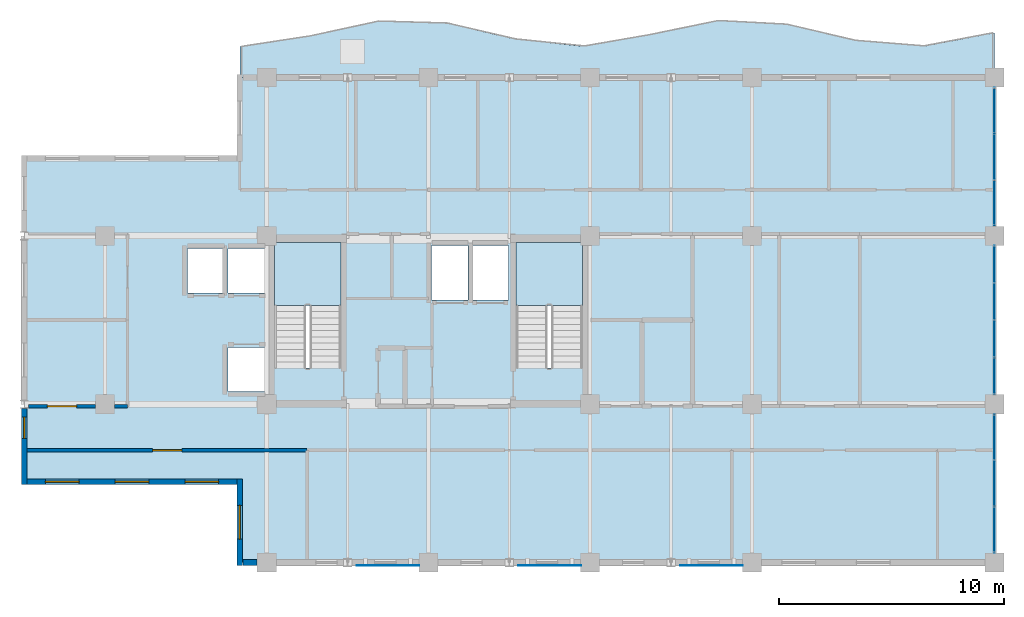
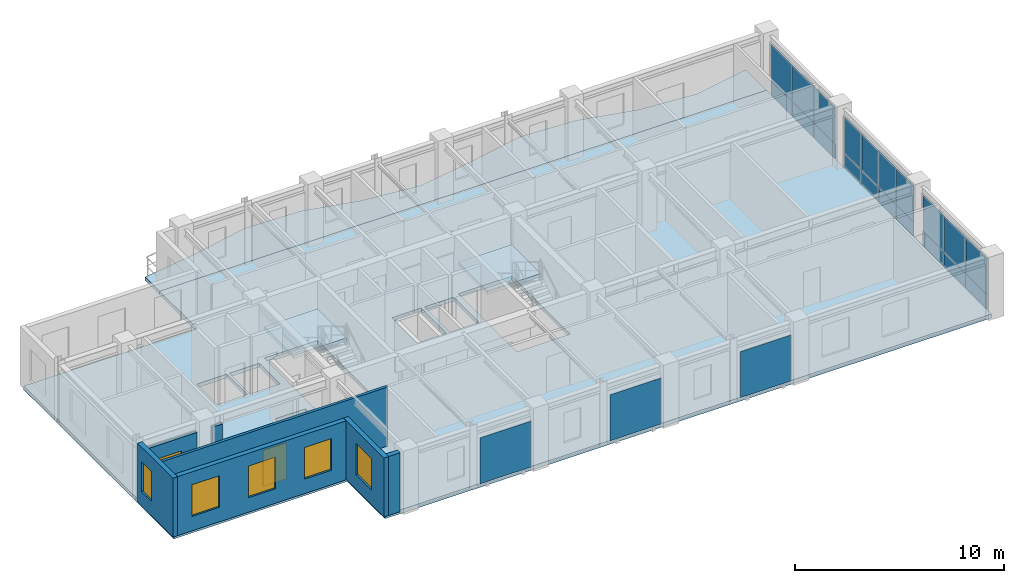
# One storey, part 5 of 10: 23 plates, 7 walls, 5 windows, 4 slabs, 2 doors, 7 openings, 5 elements without a shape of their own.
"""IFC4 building model written with IfcOpenShell, lengths in metres."""

from ifc_helpers import new_model, si_unit, direction, frame, frame_2d, origin, origin_2d, place, context, subcontext, project, spatial, polyline, rectangle, outline, extrude, source, transform, mapped, material, layer, layer_set, type_object, element, fill, aggregate, save


model = new_model("IFC4")

# Units and contexts
model_context = context("Model", 3, precision=1e-05, world=origin(), true_north=direction((0.0, 1.0)))
body_context = subcontext(model_context, "Body", "Model", "MODEL_VIEW")
ifc_project = project(units=[si_unit("LENGTHUNIT", "METRE"), si_unit("AREAUNIT", "SQUARE_METRE"), si_unit("VOLUMEUNIT", "CUBIC_METRE"), si_unit("PLANEANGLEUNIT", "RADIAN"), si_unit("MASSUNIT", "GRAM", prefix="KILO")], contexts=[model_context])

# Site, building, storey
site_placement = place(None, origin())
site = spatial("IfcSite", under=ifc_project, at=site_placement, CompositionType="ELEMENT")
building_placement = place(site_placement, origin())
building = spatial("IfcBuilding", under=site, at=building_placement, Name="Kaliganga Portal Commons", CompositionType="ELEMENT")
storey_placement = place(building_placement, frame((0.0, 0.0, 279.5)))
storey = spatial("IfcBuildingStorey", under=building, at=storey_placement, Name="L72", CompositionType="ELEMENT", Elevation=279.5)

# Slab
ifc_material_1 = material(Name="Concrete C40/50", Category="concrete")
ifc_layer_1 = layer(ifc_material_1, 0.2099609375)
ifc_layer_set_1 = layer_set([ifc_layer_1], Name="Concrete C40/50")
slab_type_1 = type_object("IfcSlabType", Name="SLB-BALC-210", PredefinedType="FLOOR", material=ifc_layer_set_1)
slab_1_placement = place(storey_placement, frame((0.0, 0.0, -0.2099609375)))
element("IfcSlab", 1, at=slab_1_placement, inside=storey, type_object=slab_type_1, Name="Scalloped Tree-Planter Balcony Slab L72 balc_north", PredefinedType="FLOOR", context=body_context, shape_type="SweptSolid", body=[
    extrude(outline(polyline([(46.800048828125, 43.199951171875), (46.800048828125, 45.19091796875), (43.74560546875, 44.607666015625), (40.69091796875, 44.85595703125), (37.636474609375, 45.581787109375), (34.581787109375, 45.75048828125), (31.52734375, 45.12158203125), (28.47265625, 44.591552734375), (25.418212890625, 44.916015625), (22.363525390625, 45.632568359375), (19.30908203125, 45.719482421875), (16.25439453125, 45.052978515625), (13.199951171875, 44.583251953125), (13.199951171875, 43.199951171875), (46.800048828125, 43.199951171875)])), origin(), (0.0, 0.0, 1.0), 0.2099609375),
])

# Stair, slab
stair_type = type_object("IfcStairType", Name="ST-CORE-DOGLEG", PredefinedType="HALF_TURN_STAIR", material=ifc_material_1)
stair_1_placement = place(storey_placement, origin())
stair_1 = element("IfcStair", 2, at=stair_1_placement, inside=storey, type_object=stair_type, Name="L72 Protected Exit Stair ST-A1", PredefinedType="HALF_TURN_STAIR")
ifc_layer_2 = layer(ifc_material_1, 0.199951171875)
ifc_layer_set_2 = layer_set([ifc_layer_2], Name="Concrete C40/50")
slab_type_2 = type_object("IfcSlabType", Name="SLB-STAIR-LND", PredefinedType="LANDING", material=ifc_layer_set_2)
slab_2_placement = place(storey_placement, frame((0.0, 0.0, 1.64990234375)))
slab_2 = element("IfcSlab", 3, at=slab_2_placement, type_object=slab_type_2, Name="ST-A1 landing 1", PredefinedType="LANDING", context=body_context, shape_type="SweptSolid", body=[
    extrude(outline(polyline([(17.699951171875, 33.050048828125), (17.699951171875, 35.85009765625), (14.75, 35.85009765625), (14.75, 33.050048828125), (17.699951171875, 33.050048828125)])), origin(), (0.0, 0.0, 1.0), 0.2001953125),
])
aggregate(stair_1, [slab_2])

stair_2_placement = place(storey_placement, origin())
stair_2 = element("IfcStair", 4, at=stair_2_placement, inside=storey, type_object=stair_type, Name="L72 Protected Exit Stair ST-A2", PredefinedType="HALF_TURN_STAIR")
slab_3_placement = place(storey_placement, frame((0.0, 0.0, 1.64990234375)))
slab_3 = element("IfcSlab", 5, at=slab_3_placement, type_object=slab_type_2, Name="ST-A2 landing 1", PredefinedType="LANDING", context=body_context, shape_type="SweptSolid", body=[
    extrude(outline(polyline([(28.449951171875, 33.050048828125), (28.449951171875, 35.85009765625), (25.5, 35.85009765625), (25.5, 33.050048828125), (28.449951171875, 33.050048828125)])), origin(), (0.0, 0.0, 1.0), 0.2001953125),
])
aggregate(stair_2, [slab_3])

# Slab
ifc_layer_3 = layer(ifc_material_1, 0.22509765625)
ifc_layer_set_3 = layer_set([ifc_layer_3], Name="Concrete C40/50")
slab_type_3 = type_object("IfcSlabType", Name="SLB-TWR-220", PredefinedType="FLOOR", material=ifc_layer_set_3)
slab_4_placement = place(storey_placement, frame((0.0, 0.0, -0.22509765625)))
element("IfcSlab", 6, at=slab_4_placement, inside=storey, type_object=slab_type_3, Name="Structural Floor Slab L72", PredefinedType="FLOOR", context=body_context, shape_type="SweptSolid", body=[
    extrude(outline(polyline([(13.199951171875, 21.60009765625), (46.800048828125, 21.60009765625), (46.800048828125, 43.199951171875), (13.199951171875, 43.199951171875), (13.199951171875, 39.60009765625), (3.60009765625, 39.60009765625), (3.60009765625, 25.199951171875), (13.199951171875, 25.199951171875), (13.199951171875, 21.60009765625)]), holes=[polyline([(14.75, 30.25390625), (14.75, 35.85009765625), (17.699951171875, 35.85009765625), (17.699951171875, 30.25390625), (14.75, 30.25390625)]), polyline([(25.5, 30.25390625), (25.5, 35.85009765625), (28.449951171875, 35.85009765625), (28.449951171875, 30.25390625), (25.5, 30.25390625)]), polyline([(12.6650390625, 33.614990234375), (12.6650390625, 35.5849609375), (14.3349609375, 35.5849609375), (14.3349609375, 33.614990234375), (12.6650390625, 33.614990234375)]), polyline([(12.6650390625, 29.215087890625), (12.6650390625, 31.18505859375), (14.3349609375, 31.18505859375), (14.3349609375, 29.215087890625), (12.6650390625, 29.215087890625)]), polyline([(10.864990234375, 33.614990234375), (10.864990234375, 35.5849609375), (12.534912109375, 35.5849609375), (12.534912109375, 33.614990234375), (10.864990234375, 33.614990234375)]), polyline([(21.739990234375, 33.2900390625), (21.739990234375, 35.7099609375), (23.360107421875, 35.7099609375), (23.360107421875, 33.2900390625), (21.739990234375, 33.2900390625)]), polyline([(23.5400390625, 33.2900390625), (23.5400390625, 35.7099609375), (25.159912109375, 35.7099609375), (25.159912109375, 33.2900390625), (23.5400390625, 33.2900390625)])]), origin(), (0.0, 0.0, 1.0), 0.22509765625),
])

# Plates
ifc_material_2 = material(Name="Perforated Bronze-Anodized Aluminium Solar Screen", Category="aluminium")
ifc_layer_4 = layer(ifc_material_2, 0.01806640625)
ifc_layer_set_4 = layer_set([ifc_layer_4], Name="Perforated Bronze-Anodized Aluminium Solar Screen")
plate_type_1 = type_object("IfcPlateType", Name="PLT-SCR-18", PredefinedType="USERDEFINED", material=ifc_layer_set_4)
shared_shape_1 = source(origin(), body_context, "Body", "SweptSolid", [
    extrude(rectangle(XDim=2.800048828125, YDim=0.01806640625, at=origin_2d()), origin(), (0.0, 0.0, 1.0), 2.68994140625),
])
for number, where, z_axis, x_axis, name in (
    (7, (19.800048828125, 21.47998046875, 0.080078125), (0.0, 0.0, 1.0), (1.0, 0.0, 0.0), "Perforated Solar Screen L72-S1"),
    (8, (27.0, 21.47998046875, 0.080078125), (0.0, 0.0, 1.0), (1.0, 0.0, 0.0), "Perforated Solar Screen L72-S2"),
    (9, (34.199951171875, 21.47998046875, 0.080078125), (0.0, 0.0, 1.0), (1.0, 0.0, 0.0), "Perforated Solar Screen L72-S3"),
):
    element("IfcPlate", number, at=place(storey_placement, frame(where, z_axis=z_axis, x_axis=x_axis)), inside=storey, type_object=plate_type_1, Name=name, ObjectType="SOLAR SCREEN", PredefinedType="USERDEFINED", context=body_context, shape_type="MappedRepresentation", body=[
        mapped(shared_shape_1, transform((0.0, 0.0, 0.0), x_axis=(1.0, 0.0, 0.0), y_axis=(0.0, 1.0, 0.0), z_axis=(0.0, 0.0, 1.0), scale=1.0)),
    ])

# Curtain wall, plates
ifc_material_3 = material(Name="Anodized Aluminium and Laminated Low-E Glass", Category="aluminium")
ifc_layer_5 = layer(ifc_material_3, 0.18994140625)
ifc_layer_set_5 = layer_set([ifc_layer_5], Name="Anodized Aluminium and Laminated Low-E Glass")
curtain_wall_type = type_object("IfcCurtainWallType", Name="CW-SYS-05", PredefinedType="NOTDEFINED", material=ifc_layer_set_5)
curtain_wall_1_placement = place(storey_placement, origin())
curtain_wall_1 = element("IfcCurtainWall", 10, at=curtain_wall_1_placement, inside=storey, type_object=curtain_wall_type, Name="CW 05 L72 P1E01S1", PredefinedType="NOTDEFINED")
ifc_material_4 = material(Name="Insulated Dark Spandrel Panel", Category="metal")
ifc_layer_6 = layer(ifc_material_4, 0.044921875)
ifc_layer_set_6 = layer_set([ifc_layer_6], Name="Insulated Dark Spandrel Panel")
plate_type_2 = type_object("IfcPlateType", Name="PLT-SPN-45", PredefinedType="SHEET", material=ifc_layer_set_6)
shared_shape_2 = source(origin(), body_context, "Body", "SweptSolid", [
    extrude(rectangle(XDim=2.02587890625, YDim=0.044921875, at=origin_2d()), origin(), (0.0, 0.0, 1.0), 0.841064453125),
])
plate_1_placement = place(storey_placement, frame((46.800048828125, 23.05908203125, 0.009765625), z_axis=(0.0, 0.0, 1.0), x_axis=(0.0, 1.0, 0.0)))
plate_1 = element("IfcPlate", 11, at=plate_1_placement, type_object=plate_type_2, Name="CW:05:L72:P1E01S1 Spandrel 00", PredefinedType="SHEET", context=body_context, shape_type="MappedRepresentation", body=[
    mapped(shared_shape_2, transform((0.0, 0.0, 0.0), x_axis=(1.0, 0.0, 0.0), y_axis=(0.0, 1.0, 0.0), z_axis=(0.0, 0.0, 1.0), scale=1.0)),
])
plate_2_placement = place(storey_placement, frame((46.800048828125, 25.125, 0.009765625), z_axis=(0.0, 0.0, 1.0), x_axis=(0.0, 1.0, 0.0)))
plate_2 = element("IfcPlate", 12, at=plate_2_placement, type_object=plate_type_2, Name="CW:05:L72:P1E01S1 Spandrel 01", PredefinedType="SHEET", context=body_context, shape_type="MappedRepresentation", body=[
    mapped(shared_shape_2, transform((0.0, 0.0, 0.0), x_axis=(1.0, 0.0, 0.0), y_axis=(0.0, 1.0, 0.0), z_axis=(0.0, 0.0, 1.0), scale=1.0)),
])
plate_3_placement = place(storey_placement, frame((46.800048828125, 27.19091796875, 0.009765625), z_axis=(0.0, 0.0, 1.0), x_axis=(0.0, 1.0, 0.0)))
plate_3 = element("IfcPlate", 13, at=plate_3_placement, type_object=plate_type_2, Name="CW:05:L72:P1E01S1 Spandrel 02", PredefinedType="SHEET", context=body_context, shape_type="MappedRepresentation", body=[
    mapped(shared_shape_2, transform((0.0, 0.0, 0.0), x_axis=(1.0, 0.0, 0.0), y_axis=(0.0, 1.0, 0.0), z_axis=(0.0, 0.0, 1.0), scale=1.0)),
])

curtain_wall_2_placement = place(storey_placement, origin())
curtain_wall_2 = element("IfcCurtainWall", 14, at=curtain_wall_2_placement, inside=storey, type_object=curtain_wall_type, Name="CW 05 L72 P1E01S3", PredefinedType="NOTDEFINED")
plate_4_placement = place(storey_placement, frame((46.800048828125, 37.60888671875, 0.009765625), z_axis=(0.0, 0.0, 1.0), x_axis=(0.0, 1.0, 0.0)))
plate_4 = element("IfcPlate", 15, at=plate_4_placement, type_object=plate_type_2, Name="CW:05:L72:P1E01S3 Spandrel 00", PredefinedType="SHEET", context=body_context, shape_type="MappedRepresentation", body=[
    mapped(shared_shape_2, transform((0.0, 0.0, 0.0), x_axis=(1.0, 0.0, 0.0), y_axis=(0.0, 1.0, 0.0), z_axis=(0.0, 0.0, 1.0), scale=1.0)),
])
plate_5_placement = place(storey_placement, frame((46.800048828125, 39.675048828125, 0.009765625), z_axis=(0.0, 0.0, 1.0), x_axis=(0.0, 1.0, 0.0)))
plate_5 = element("IfcPlate", 16, at=plate_5_placement, type_object=plate_type_2, Name="CW:05:L72:P1E01S3 Spandrel 01", PredefinedType="SHEET", context=body_context, shape_type="MappedRepresentation", body=[
    mapped(shared_shape_2, transform((0.0, 0.0, 0.0), x_axis=(1.0, 0.0, 0.0), y_axis=(0.0, 1.0, 0.0), z_axis=(0.0, 0.0, 1.0), scale=1.0)),
])
plate_6_placement = place(storey_placement, frame((46.800048828125, 41.740966796875, 0.009765625), z_axis=(0.0, 0.0, 1.0), x_axis=(0.0, 1.0, 0.0)))
plate_6 = element("IfcPlate", 17, at=plate_6_placement, type_object=plate_type_2, Name="CW:05:L72:P1E01S3 Spandrel 02", PredefinedType="SHEET", context=body_context, shape_type="MappedRepresentation", body=[
    mapped(shared_shape_2, transform((0.0, 0.0, 0.0), x_axis=(1.0, 0.0, 0.0), y_axis=(0.0, 1.0, 0.0), z_axis=(0.0, 0.0, 1.0), scale=1.0)),
])

# Plate
ifc_material_5 = material(Name="Dark Solar-Control Laminated Low-E IGU", Category="glass")
ifc_layer_7 = layer(ifc_material_5, 0.028076171875)
ifc_layer_set_7 = layer_set([ifc_layer_7], Name="Dark Solar-Control Laminated Low-E IGU")
plate_type_3 = type_object("IfcPlateType", Name="PLT-GLZ-28", PredefinedType="CURTAIN_PANEL", material=ifc_layer_set_7)
shared_shape_3 = source(origin(), body_context, "Body", "SweptSolid", [
    extrude(rectangle(XDim=2.02587890625, YDim=0.028076171875, at=origin_2d()), origin(), (0.0, 0.0, 1.0), 2.114013671875),
])
plate_7_placement = place(storey_placement, frame((46.800048828125, 23.05908203125, 0.87109375), z_axis=(0.0, 0.0, 1.0), x_axis=(0.0, 1.0, 0.0)))
plate_7 = element("IfcPlate", 18, at=plate_7_placement, type_object=plate_type_3, Name="CW:05:L72:P1E01S1 Vision IGU 00", PredefinedType="CURTAIN_PANEL", context=body_context, shape_type="MappedRepresentation", body=[
    mapped(shared_shape_3, transform((0.0, 0.0, 0.0), x_axis=(1.0, 0.0, 0.0), y_axis=(0.0, 1.0, 0.0), z_axis=(0.0, 0.0, 1.0), scale=1.0)),
])

plate_8_placement = place(storey_placement, frame((46.800048828125, 25.125, 0.87109375), z_axis=(0.0, 0.0, 1.0), x_axis=(0.0, 1.0, 0.0)))
plate_8 = element("IfcPlate", 19, at=plate_8_placement, type_object=plate_type_3, Name="CW:05:L72:P1E01S1 Vision IGU 01", PredefinedType="CURTAIN_PANEL", context=body_context, shape_type="MappedRepresentation", body=[
    mapped(shared_shape_3, transform((0.0, 0.0, 0.0), x_axis=(1.0, 0.0, 0.0), y_axis=(0.0, 1.0, 0.0), z_axis=(0.0, 0.0, 1.0), scale=1.0)),
])

plate_9_placement = place(storey_placement, frame((46.800048828125, 27.19091796875, 0.87109375), z_axis=(0.0, 0.0, 1.0), x_axis=(0.0, 1.0, 0.0)))
plate_9 = element("IfcPlate", 20, at=plate_9_placement, type_object=plate_type_3, Name="CW:05:L72:P1E01S1 Vision IGU 02", PredefinedType="CURTAIN_PANEL", context=body_context, shape_type="MappedRepresentation", body=[
    mapped(shared_shape_3, transform((0.0, 0.0, 0.0), x_axis=(1.0, 0.0, 0.0), y_axis=(0.0, 1.0, 0.0), z_axis=(0.0, 0.0, 1.0), scale=1.0)),
])

aggregate(curtain_wall_1, [plate_1, plate_7, plate_2, plate_8, plate_3, plate_9])

plate_10_placement = place(storey_placement, frame((46.800048828125, 37.60888671875, 0.87109375), z_axis=(0.0, 0.0, 1.0), x_axis=(0.0, 1.0, 0.0)))
plate_10 = element("IfcPlate", 21, at=plate_10_placement, type_object=plate_type_3, Name="CW:05:L72:P1E01S3 Vision IGU 00", PredefinedType="CURTAIN_PANEL", context=body_context, shape_type="MappedRepresentation", body=[
    mapped(shared_shape_3, transform((0.0, 0.0, 0.0), x_axis=(1.0, 0.0, 0.0), y_axis=(0.0, 1.0, 0.0), z_axis=(0.0, 0.0, 1.0), scale=1.0)),
])

plate_11_placement = place(storey_placement, frame((46.800048828125, 39.675048828125, 0.87109375), z_axis=(0.0, 0.0, 1.0), x_axis=(0.0, 1.0, 0.0)))
plate_11 = element("IfcPlate", 22, at=plate_11_placement, type_object=plate_type_3, Name="CW:05:L72:P1E01S3 Vision IGU 01", PredefinedType="CURTAIN_PANEL", context=body_context, shape_type="MappedRepresentation", body=[
    mapped(shared_shape_3, transform((0.0, 0.0, 0.0), x_axis=(1.0, 0.0, 0.0), y_axis=(0.0, 1.0, 0.0), z_axis=(0.0, 0.0, 1.0), scale=1.0)),
])

plate_12_placement = place(storey_placement, frame((46.800048828125, 41.740966796875, 0.87109375), z_axis=(0.0, 0.0, 1.0), x_axis=(0.0, 1.0, 0.0)))
plate_12 = element("IfcPlate", 23, at=plate_12_placement, type_object=plate_type_3, Name="CW:05:L72:P1E01S3 Vision IGU 02", PredefinedType="CURTAIN_PANEL", context=body_context, shape_type="MappedRepresentation", body=[
    mapped(shared_shape_3, transform((0.0, 0.0, 0.0), x_axis=(1.0, 0.0, 0.0), y_axis=(0.0, 1.0, 0.0), z_axis=(0.0, 0.0, 1.0), scale=1.0)),
])

aggregate(curtain_wall_2, [plate_4, plate_10, plate_5, plate_11, plate_6, plate_12])

# Curtain wall, plates
curtain_wall_3_placement = place(storey_placement, origin())
curtain_wall_3 = element("IfcCurtainWall", 24, at=curtain_wall_3_placement, inside=storey, type_object=curtain_wall_type, Name="CW 05 L72 P1E01S2", PredefinedType="NOTDEFINED")
shared_shape_4 = source(origin(), body_context, "Body", "SweptSolid", [
    extrude(rectangle(XDim=1.6220703125, YDim=0.044921875, at=origin_2d()), origin(), (0.0, 0.0, 1.0), 0.841064453125),
])
plate_13_placement = place(storey_placement, frame((46.800048828125, 29.906982421875, 0.009765625), z_axis=(0.0, 0.0, 1.0), x_axis=(0.0, 1.0, 0.0)))
plate_13 = element("IfcPlate", 25, at=plate_13_placement, type_object=plate_type_2, Name="CW:05:L72:P1E01S2 Spandrel 00", PredefinedType="SHEET", context=body_context, shape_type="MappedRepresentation", body=[
    mapped(shared_shape_4, transform((0.0, 0.0, 0.0), x_axis=(1.0, 0.0, 0.0), y_axis=(0.0, 1.0, 0.0), z_axis=(0.0, 0.0, 1.0), scale=1.0)),
])
plate_14_placement = place(storey_placement, frame((46.800048828125, 31.569091796875, 0.009765625), z_axis=(0.0, 0.0, 1.0), x_axis=(0.0, 1.0, 0.0)))
plate_14 = element("IfcPlate", 26, at=plate_14_placement, type_object=plate_type_2, Name="CW:05:L72:P1E01S2 Spandrel 01", PredefinedType="SHEET", context=body_context, shape_type="MappedRepresentation", body=[
    mapped(shared_shape_4, transform((0.0, 0.0, 0.0), x_axis=(1.0, 0.0, 0.0), y_axis=(0.0, 1.0, 0.0), z_axis=(0.0, 0.0, 1.0), scale=1.0)),
])
plate_15_placement = place(storey_placement, frame((46.800048828125, 33.23095703125, 0.009765625), z_axis=(0.0, 0.0, 1.0), x_axis=(0.0, 1.0, 0.0)))
plate_15 = element("IfcPlate", 27, at=plate_15_placement, type_object=plate_type_2, Name="CW:05:L72:P1E01S2 Spandrel 02", PredefinedType="SHEET", context=body_context, shape_type="MappedRepresentation", body=[
    mapped(shared_shape_4, transform((0.0, 0.0, 0.0), x_axis=(1.0, 0.0, 0.0), y_axis=(0.0, 1.0, 0.0), z_axis=(0.0, 0.0, 1.0), scale=1.0)),
])
plate_16_placement = place(storey_placement, frame((46.800048828125, 34.89306640625, 0.009765625), z_axis=(0.0, 0.0, 1.0), x_axis=(0.0, 1.0, 0.0)))
plate_16 = element("IfcPlate", 28, at=plate_16_placement, type_object=plate_type_2, Name="CW:05:L72:P1E01S2 Spandrel 03", PredefinedType="SHEET", context=body_context, shape_type="MappedRepresentation", body=[
    mapped(shared_shape_4, transform((0.0, 0.0, 0.0), x_axis=(1.0, 0.0, 0.0), y_axis=(0.0, 1.0, 0.0), z_axis=(0.0, 0.0, 1.0), scale=1.0)),
])
shared_shape_5 = source(origin(), body_context, "Body", "SweptSolid", [
    extrude(rectangle(XDim=1.6220703125, YDim=0.028076171875, at=origin_2d()), origin(), (0.0, 0.0, 1.0), 2.114013671875),
])
plate_17_placement = place(storey_placement, frame((46.800048828125, 29.906982421875, 0.87109375), z_axis=(0.0, 0.0, 1.0), x_axis=(0.0, 1.0, 0.0)))
plate_17 = element("IfcPlate", 29, at=plate_17_placement, type_object=plate_type_3, Name="CW:05:L72:P1E01S2 Vision IGU 00", PredefinedType="CURTAIN_PANEL", context=body_context, shape_type="MappedRepresentation", body=[
    mapped(shared_shape_5, transform((0.0, 0.0, 0.0), x_axis=(1.0, 0.0, 0.0), y_axis=(0.0, 1.0, 0.0), z_axis=(0.0, 0.0, 1.0), scale=1.0)),
])
plate_18_placement = place(storey_placement, frame((46.800048828125, 31.569091796875, 0.87109375), z_axis=(0.0, 0.0, 1.0), x_axis=(0.0, 1.0, 0.0)))
plate_18 = element("IfcPlate", 30, at=plate_18_placement, type_object=plate_type_3, Name="CW:05:L72:P1E01S2 Vision IGU 01", PredefinedType="CURTAIN_PANEL", context=body_context, shape_type="MappedRepresentation", body=[
    mapped(shared_shape_5, transform((0.0, 0.0, 0.0), x_axis=(1.0, 0.0, 0.0), y_axis=(0.0, 1.0, 0.0), z_axis=(0.0, 0.0, 1.0), scale=1.0)),
])
plate_19_placement = place(storey_placement, frame((46.800048828125, 33.23095703125, 0.87109375), z_axis=(0.0, 0.0, 1.0), x_axis=(0.0, 1.0, 0.0)))
plate_19 = element("IfcPlate", 31, at=plate_19_placement, type_object=plate_type_3, Name="CW:05:L72:P1E01S2 Vision IGU 02", PredefinedType="CURTAIN_PANEL", context=body_context, shape_type="MappedRepresentation", body=[
    mapped(shared_shape_5, transform((0.0, 0.0, 0.0), x_axis=(1.0, 0.0, 0.0), y_axis=(0.0, 1.0, 0.0), z_axis=(0.0, 0.0, 1.0), scale=1.0)),
])
plate_20_placement = place(storey_placement, frame((46.800048828125, 34.89306640625, 0.87109375), z_axis=(0.0, 0.0, 1.0), x_axis=(0.0, 1.0, 0.0)))
plate_20 = element("IfcPlate", 32, at=plate_20_placement, type_object=plate_type_3, Name="CW:05:L72:P1E01S2 Vision IGU 03", PredefinedType="CURTAIN_PANEL", context=body_context, shape_type="MappedRepresentation", body=[
    mapped(shared_shape_5, transform((0.0, 0.0, 0.0), x_axis=(1.0, 0.0, 0.0), y_axis=(0.0, 1.0, 0.0), z_axis=(0.0, 0.0, 1.0), scale=1.0)),
])
aggregate(curtain_wall_3, [plate_13, plate_17, plate_14, plate_18, plate_15, plate_19, plate_16, plate_20])

# Wall
ifc_material_6 = material(Name="Insulated Aluminium-Clad Spandrel Assembly", Category="aluminium")
ifc_layer_8 = layer(ifc_material_6, 0.260009765625)
ifc_layer_set_8 = layer_set([ifc_layer_8], Name="Insulated Aluminium-Clad Spandrel Assembly")
wall_type_1 = type_object("IfcWallType", Name="WL-EXT-SPAND-260", PredefinedType="STANDARD", material=ifc_layer_set_8)
wall_1_placement = place(storey_placement, frame((13.97412109375, 21.60009765625, 0.0), z_axis=(0.0, 0.0, 1.0), x_axis=(-1.0, 0.0, 0.0)))
element("IfcWall", 33, at=wall_1_placement, inside=storey, type_object=wall_type_1, Name="Exterior Envelope Wall L72 P1-E00-S1", PredefinedType="STANDARD", context=body_context, shape_type="SweptSolid", body=[
    extrude(rectangle(XDim=0.63916015625, YDim=0.260009765625, at=frame_2d((0.319580078125, 0.0))), origin(), (0.0, 0.0, 1.0), 3.455078125),
])

# Wall, opening, window
wall_2_placement = place(storey_placement, frame((3.60009765625, 25.070068359375, 0.0), z_axis=(0.0, 0.0, 1.0), x_axis=(0.0, 1.0, 0.0)))
wall_2 = element("IfcWall", 34, at=wall_2_placement, inside=storey, type_object=wall_type_1, Name="Exterior Envelope Wall L72 P1-E05-S3", PredefinedType="STANDARD", context=body_context, shape_type="SweptSolid", body=[
    extrude(rectangle(XDim=3.392822265625, YDim=0.260009765625, at=frame_2d((1.6962890625, 0.0))), origin(), (0.0, 0.0, 1.0), 3.455078125),
])
opening_1_placement = place(wall_2_placement, frame((2.06298828125, 0.0, 0.85009765625)))
opening_1 = element("IfcOpeningElement", 35, at=opening_1_placement, cuts=wall_2, Name="Opening W-04", PredefinedType="OPENING", context=body_context, shape_type="SweptSolid", body=[
    extrude(rectangle(XDim=0.949951171875, YDim=1.75, at=frame_2d((0.47509765625, 0.875))), frame((0.0, 0.14013671875, 0.0), z_axis=(0.0, -1.0, 0.0), x_axis=(1.0, 0.0, 0.0)), (0.0, 0.0, 1.0), 0.280029296875),
])
ifc_material_7 = material(Name="Thermally Broken Aluminium and Low-E Double Glazing", Category="aluminium")
window_type_1 = type_object("IfcWindowType", Name="WIN-NARROW-950", PartitioningType="SINGLE_PANEL", PredefinedType="WINDOW", material=ifc_material_7)
window_1_placement = place(opening_1_placement, origin())
window_1 = element("IfcWindow", 36, at=window_1_placement, inside=storey, type_object=window_type_1, Name="Facade Window L72-P1E05S3-N2", OverallHeight=1.75, OverallWidth=0.949951171875, PartitioningType="SINGLE_PANEL", PredefinedType="WINDOW", context=body_context, shape_type="SweptSolid", body=[
    extrude(rectangle(XDim=0.949951171875, YDim=1.75, at=frame_2d((0.47509765625, 0.875))), frame((0.0, 0.030029296875, 0.0), z_axis=(0.0, -1.0, 0.0), x_axis=(1.0, 0.0, 0.0)), (0.0, 0.0, 1.0), 0.06005859375),
])
fill(opening_1, window_1)

# Wall, openings, windows
wall_3_placement = place(storey_placement, frame((13.06494140625, 25.199951171875, 0.0), z_axis=(0.0, 0.0, 1.0), x_axis=(-1.0, 0.0, 0.0)))
wall_3 = element("IfcWall", 37, at=wall_3_placement, inside=storey, type_object=wall_type_1, Name="Exterior Envelope Wall L72 P1-E06-S1", PredefinedType="STANDARD", context=body_context, shape_type="SweptSolid", body=[
    extrude(rectangle(XDim=9.329833984375, YDim=0.260009765625, at=frame_2d((4.6650390625, 0.0))), origin(), (0.0, 0.0, 1.0), 3.455078125),
])
opening_2_placement = place(wall_3_placement, frame((0.804931640625, 0.0, 0.85009765625)))
opening_2 = element("IfcOpeningElement", 38, at=opening_2_placement, cuts=wall_3, Name="Opening W-02", PredefinedType="OPENING", context=body_context, shape_type="SweptSolid", body=[
    extrude(rectangle(XDim=1.5, YDim=1.85009765625, at=frame_2d((0.75, 0.925048828125))), frame((0.0, 0.14013671875, 0.0), z_axis=(0.0, -1.0, 0.0), x_axis=(1.0, 0.0, 0.0)), (0.0, 0.0, 1.0), 0.280029296875),
])
opening_3_placement = place(wall_3_placement, frame((3.9150390625, 0.0, 0.85009765625)))
opening_3 = element("IfcOpeningElement", 39, at=opening_3_placement, cuts=wall_3, Name="Opening W-02", PredefinedType="OPENING", context=body_context, shape_type="SweptSolid", body=[
    extrude(rectangle(XDim=1.5, YDim=1.85009765625, at=frame_2d((0.75, 0.925048828125))), frame((0.0, 0.14013671875, 0.0), z_axis=(0.0, -1.0, 0.0), x_axis=(1.0, 0.0, 0.0)), (0.0, 0.0, 1.0), 0.280029296875),
])
opening_4_placement = place(wall_3_placement, frame((7.02490234375, 0.0, 0.85009765625)))
opening_4 = element("IfcOpeningElement", 40, at=opening_4_placement, cuts=wall_3, Name="Opening W-02", PredefinedType="OPENING", context=body_context, shape_type="SweptSolid", body=[
    extrude(rectangle(XDim=1.5, YDim=1.85009765625, at=frame_2d((0.75, 0.925048828125))), frame((0.0, 0.14013671875, 0.0), z_axis=(0.0, -1.0, 0.0), x_axis=(1.0, 0.0, 0.0)), (0.0, 0.0, 1.0), 0.280029296875),
])
window_type_2 = type_object("IfcWindowType", Name="WIN-STD-1500", PartitioningType="DOUBLE_PANEL_VERTICAL", PredefinedType="WINDOW", material=ifc_material_7)
window_2_placement = place(opening_2_placement, origin())
window_2 = element("IfcWindow", 41, at=window_2_placement, inside=storey, type_object=window_type_2, Name="Facade Window L72-P1E06S1-00", OverallHeight=1.85009765625, OverallWidth=1.5, PartitioningType="SINGLE_PANEL", PredefinedType="WINDOW", context=body_context, shape_type="SweptSolid", body=[
    extrude(rectangle(XDim=1.5, YDim=1.85009765625, at=frame_2d((0.75, 0.925048828125))), frame((0.0, 0.030029296875, 0.0), z_axis=(0.0, -1.0, 0.0), x_axis=(1.0, 0.0, 0.0)), (0.0, 0.0, 1.0), 0.06005859375),
])
fill(opening_2, window_2)
window_3_placement = place(opening_3_placement, origin())
window_3 = element("IfcWindow", 42, at=window_3_placement, inside=storey, type_object=window_type_2, Name="Facade Window L72-P1E06S1-01", OverallHeight=1.85009765625, OverallWidth=1.5, PartitioningType="SINGLE_PANEL", PredefinedType="WINDOW", context=body_context, shape_type="SweptSolid", body=[
    extrude(rectangle(XDim=1.5, YDim=1.85009765625, at=frame_2d((0.75, 0.925048828125))), frame((0.0, 0.030029296875, 0.0), z_axis=(0.0, -1.0, 0.0), x_axis=(1.0, 0.0, 0.0)), (0.0, 0.0, 1.0), 0.06005859375),
])
fill(opening_3, window_3)
window_4_placement = place(opening_4_placement, origin())
window_4 = element("IfcWindow", 43, at=window_4_placement, inside=storey, type_object=window_type_2, Name="Facade Window L72-P1E06S1-02", OverallHeight=1.85009765625, OverallWidth=1.5, PartitioningType="SINGLE_PANEL", PredefinedType="WINDOW", context=body_context, shape_type="SweptSolid", body=[
    extrude(rectangle(XDim=1.5, YDim=1.85009765625, at=frame_2d((0.75, 0.925048828125))), frame((0.0, 0.030029296875, 0.0), z_axis=(0.0, -1.0, 0.0), x_axis=(1.0, 0.0, 0.0)), (0.0, 0.0, 1.0), 0.06005859375),
])
fill(opening_4, window_4)

# Wall, opening, window
wall_4_placement = place(storey_placement, frame((13.199951171875, 21.469970703125, 0.0), z_axis=(0.0, 0.0, 1.0), x_axis=(0.0, 1.0, 0.0)))
wall_4 = element("IfcWall", 44, at=wall_4_placement, inside=storey, type_object=wall_type_1, Name="Exterior Envelope Wall L72 P1-E07-S1", PredefinedType="STANDARD", context=body_context, shape_type="SweptSolid", body=[
    extrude(rectangle(XDim=3.860107421875, YDim=0.260009765625, at=frame_2d((1.93017578125, 0.0))), origin(), (0.0, 0.0, 1.0), 3.455078125),
])
opening_5_placement = place(wall_4_placement, frame((1.179931640625, 0.0, 0.85009765625)))
opening_5 = element("IfcOpeningElement", 45, at=opening_5_placement, cuts=wall_4, Name="Opening W-02", PredefinedType="OPENING", context=body_context, shape_type="SweptSolid", body=[
    extrude(rectangle(XDim=1.5, YDim=1.85009765625, at=frame_2d((0.75, 0.925048828125))), frame((0.0, 0.14013671875, 0.0), z_axis=(0.0, -1.0, 0.0), x_axis=(1.0, 0.0, 0.0)), (0.0, 0.0, 1.0), 0.280029296875),
])
window_5_placement = place(opening_5_placement, origin())
window_5 = element("IfcWindow", 46, at=window_5_placement, inside=storey, type_object=window_type_2, Name="Facade Window L72-P1E07S1-00", OverallHeight=1.85009765625, OverallWidth=1.5, PartitioningType="SINGLE_PANEL", PredefinedType="WINDOW", context=body_context, shape_type="SweptSolid", body=[
    extrude(rectangle(XDim=1.5, YDim=1.85009765625, at=frame_2d((0.75, 0.925048828125))), frame((0.0, 0.030029296875, 0.0), z_axis=(0.0, -1.0, 0.0), x_axis=(1.0, 0.0, 0.0)), (0.0, 0.0, 1.0), 0.06005859375),
])
fill(opening_5, window_5)

# Wall, opening, door
ifc_material_8 = material(Name="Fire-Rated Gypsum Board on Steel Stud", Category="steel")
ifc_layer_9 = layer(ifc_material_8, 0.14990234375)
ifc_layer_set_9 = layer_set([ifc_layer_9], Name="Fire-Rated Gypsum Board on Steel Stud")
wall_type_2 = type_object("IfcWallType", Name="WL-PART-CORR-150", PredefinedType="PARTITIONING", material=ifc_layer_set_9)
wall_5_placement = place(storey_placement, frame((3.73193359375, 26.60009765625, 0.0), z_axis=(0.0, 0.0, 1.0), x_axis=(1.0, 0.0, 0.0)))
wall_5 = element("IfcWall", 47, at=wall_5_placement, inside=storey, type_object=wall_type_2, Name="Interior Partition L72-002", PredefinedType="PARTITIONING", context=body_context, shape_type="SweptSolid", body=[
    extrude(rectangle(XDim=12.468017578125, YDim=0.14990234375, at=frame_2d((6.23388671875, 0.0))), origin(), (0.0, 0.0, 1.0), 3.455078125),
])
opening_6_placement = place(wall_5_placement, frame((5.583984375, 0.0, 0.0)))
opening_6 = element("IfcOpeningElement", 48, at=opening_6_placement, cuts=wall_5, Name="Opening RD-03", PredefinedType="OPENING", context=body_context, shape_type="SweptSolid", body=[
    extrude(rectangle(XDim=1.300048828125, YDim=2.1201171875, at=frame_2d((0.64990234375, 1.06005859375))), frame((0.0, 0.0849609375, 0.0), z_axis=(0.0, -1.0, 0.0), x_axis=(1.0, 0.0, 0.0)), (0.0, 0.0, 1.0), 0.169921875),
])
ifc_material_9 = material(Name="Glazed Timber Seminar Vision Door", Category="wood")
door_type = type_object("IfcDoorType", Name="DR-STUDY-1300", OperationType="DOUBLE_DOOR_SINGLE_SWING", PredefinedType="DOOR", material=ifc_material_9)
door_1_placement = place(opening_6_placement, origin())
door_1 = element("IfcDoor", 49, at=door_1_placement, inside=storey, type_object=door_type, Name="Interior Door L72-AS01", OperationType="DOUBLE_DOOR_SINGLE_SWING", OverallHeight=2.1201171875, OverallWidth=1.300048828125, PredefinedType="DOOR", context=body_context, shape_type="SweptSolid", body=[
    extrude(rectangle(XDim=1.300048828125, YDim=2.1201171875, at=frame_2d((0.64990234375, 1.06005859375))), frame((0.0, 0.02490234375, 0.0), z_axis=(0.0, -1.0, 0.0), x_axis=(1.0, 0.0, 0.0)), (0.0, 0.0, 1.0), 0.050048828125),
])
fill(opening_6, door_1)

wall_6_placement = place(storey_placement, frame((3.787109375, 28.56005859375, 0.0), z_axis=(0.0, 0.0, 1.0), x_axis=(1.0, 0.0, 0.0)))
wall_6 = element("IfcWall", 50, at=wall_6_placement, inside=storey, type_object=wall_type_2, Name="Interior Partition L72-011", PredefinedType="PARTITIONING", context=body_context, shape_type="SweptSolid", body=[
    extrude(rectangle(XDim=2.98779296875, YDim=0.14990234375, at=frame_2d((1.493896484375, 0.0))), origin(), (0.0, 0.0, 1.0), 2.905029296875),
])
opening_7_placement = place(wall_6_placement, frame((0.843994140625, 0.0, 0.0)))
opening_7 = element("IfcOpeningElement", 51, at=opening_7_placement, cuts=wall_6, Name="Opening RD-03", PredefinedType="OPENING", context=body_context, shape_type="SweptSolid", body=[
    extrude(rectangle(XDim=1.300048828125, YDim=2.1201171875, at=frame_2d((0.64990234375, 1.06005859375))), frame((0.0, 0.0849609375, 0.0), z_axis=(0.0, -1.0, 0.0), x_axis=(1.0, 0.0, 0.0)), (0.0, 0.0, 1.0), 0.169921875),
])
door_2_placement = place(opening_7_placement, origin())
door_2 = element("IfcDoor", 52, at=door_2_placement, inside=storey, type_object=door_type, Name="Interior Door L72-AW01", OperationType="DOUBLE_DOOR_SINGLE_SWING", OverallHeight=2.1201171875, OverallWidth=1.300048828125, PredefinedType="DOOR", context=body_context, shape_type="SweptSolid", body=[
    extrude(rectangle(XDim=1.300048828125, YDim=2.1201171875, at=frame_2d((0.64990234375, 1.06005859375))), frame((0.0, 0.02490234375, 0.0), z_axis=(0.0, -1.0, 0.0), x_axis=(1.0, 0.0, 0.0)), (0.0, 0.0, 1.0), 0.050048828125),
])
fill(opening_7, door_2)

# Wall
wall_7_placement = place(storey_placement, frame((7.625, 28.56005859375, 0.0), z_axis=(0.0, 0.0, 1.0), x_axis=(1.0, 0.0, 0.0)))
element("IfcWall", 53, at=wall_7_placement, inside=storey, type_object=wall_type_2, Name="Interior Partition L72-012", PredefinedType="PARTITIONING", context=body_context, shape_type="SweptSolid", body=[
    extrude(rectangle(XDim=0.574951171875, YDim=0.14990234375, at=frame_2d((0.28759765625, 0.0))), origin(), (0.0, 0.0, 1.0), 2.905029296875),
])

save(model, "model.ifc")
